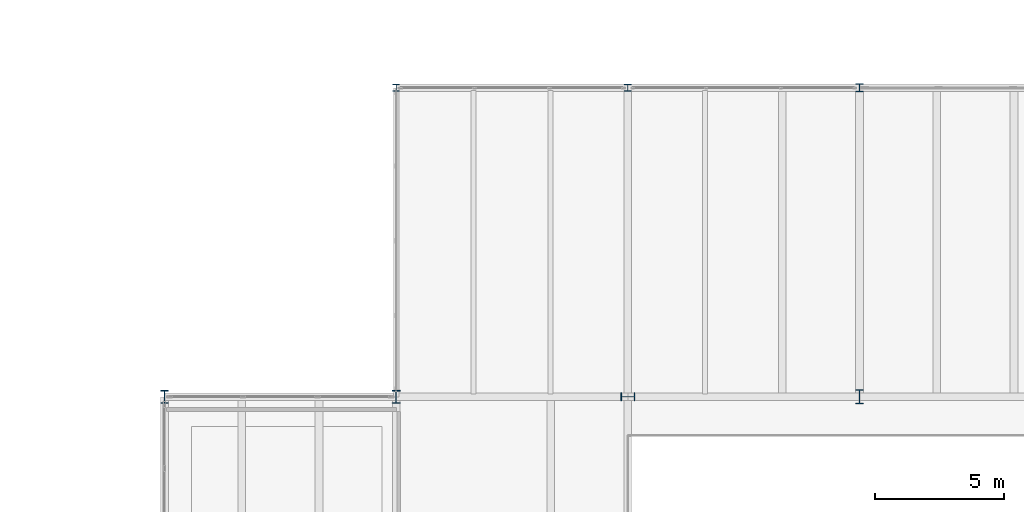
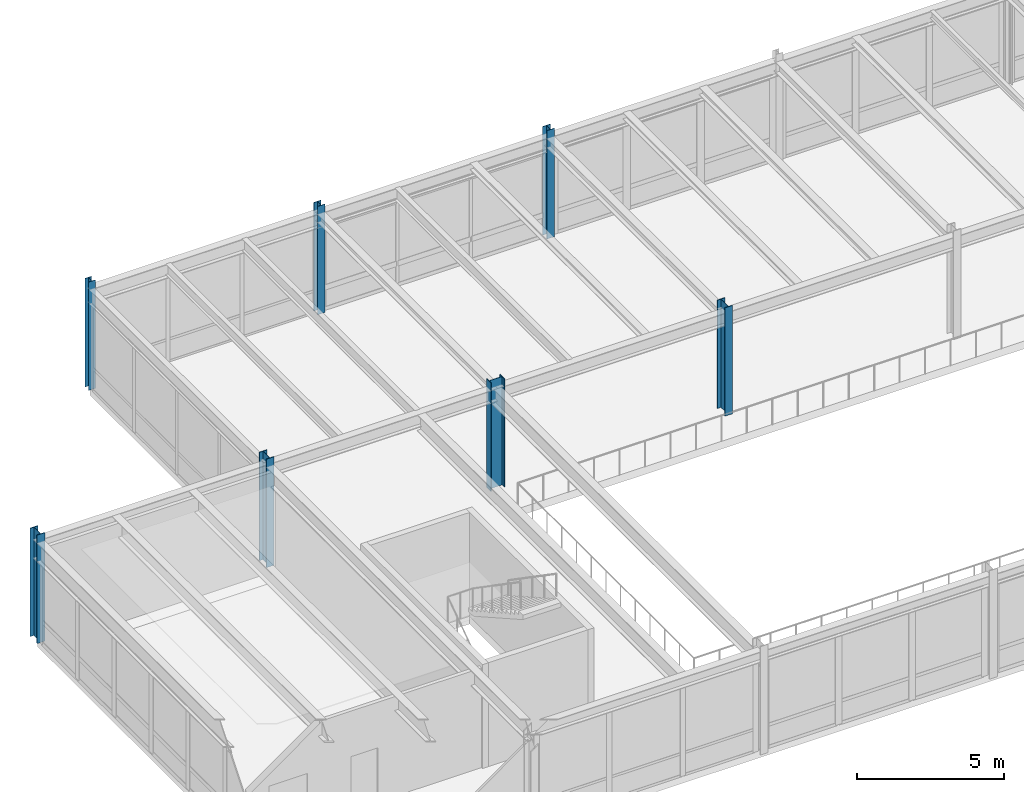
# One storey, part 10 of 127: 7 columns.
"""IFC4 building model written with IfcOpenShell, lengths in metres."""

from ifc_helpers import new_model, si_unit, direction, frame, origin, origin_2d, place, context, subcontext, project, spatial, i_section, extrude, material, material_profile, profile_set, type_object, element, save


model = new_model("IFC4")

# Units and contexts
model_context = context("Model", 3, precision=1e-05, world=origin(), true_north=direction((0.0, 1.0)))
body_context = subcontext(model_context, "Body", "Model", "MODEL_VIEW")
ifc_project = project(units=[si_unit("LENGTHUNIT", "METRE"), si_unit("AREAUNIT", "SQUARE_METRE"), si_unit("VOLUMEUNIT", "CUBIC_METRE"), si_unit("PLANEANGLEUNIT", "RADIAN"), si_unit("MASSUNIT", "GRAM", prefix="KILO")], contexts=[model_context])

# Site, building, storey
site_placement = place(None, origin())
site = spatial("IfcSite", under=ifc_project, at=site_placement, CompositionType="ELEMENT")
building_placement = place(site_placement, origin())
building = spatial("IfcBuilding", under=site, at=building_placement, Name="Montelvaro Courts of Justice", CompositionType="ELEMENT")
storey_placement = place(building_placement, frame((0.0, 0.0, 5.39990234375)))
storey = spatial("IfcBuildingStorey", under=building, at=storey_placement, Name="L01", CompositionType="ELEMENT", Elevation=5.39990234375)

# Columns
ifc_material = material(Name="Steel S355", Category="steel")
ifc_material_profile_1 = material_profile(ifc_material, i_section(OverallWidth=0.260009765625, OverallDepth=0.260009765625, WebThickness=0.010009765625, FlangeThickness=0.017578125, at=origin_2d()), Name="HEB 260")
ifc_profile_set_1 = profile_set([ifc_material_profile_1], Name="Steel S355")
column_type_1 = type_object("IfcColumnType", Name="Col_HEB260", PredefinedType="COLUMN", material=ifc_profile_set_1)
column_1_placement = place(storey_placement, frame((27.0, 108.0, 0.0), z_axis=(0.0, 0.0, 1.0), x_axis=(1.0, 0.0, 0.0)))
element("IfcColumn", 1, at=column_1_placement, inside=storey, type_object=column_type_1, Name="Column C-01 L01 4/I", PredefinedType="COLUMN", context=body_context, shape_type="SweptSolid", body=[
    extrude(i_section(OverallWidth=0.260009765625, OverallDepth=0.260009765625, WebThickness=0.010009765625, FlangeThickness=0.017578125, at=origin_2d()), origin(), (0.0, 0.0, 1.0), 4.5),
])
ifc_material_profile_2 = material_profile(ifc_material, i_section(OverallWidth=0.280029296875, OverallDepth=0.280029296875, WebThickness=0.010498046875, FlangeThickness=0.01806640625, at=origin_2d()), Name="HEB 280")
ifc_profile_set_2 = profile_set([ifc_material_profile_2], Name="Steel S355")
column_type_2 = type_object("IfcColumnType", Name="Col_HEB280", PredefinedType="COLUMN", material=ifc_profile_set_2)
column_2_placement = place(storey_placement, frame((36.0, 108.0, 0.0), z_axis=(0.0, 0.0, 1.0), x_axis=(1.0, 0.0, 0.0)))
element("IfcColumn", 2, at=column_2_placement, inside=storey, type_object=column_type_2, Name="Column C-02 L01 5/I", PredefinedType="COLUMN", context=body_context, shape_type="SweptSolid", body=[
    extrude(i_section(OverallWidth=0.280029296875, OverallDepth=0.280029296875, WebThickness=0.010498046875, FlangeThickness=0.01806640625, at=origin_2d()), origin(), (0.0, 0.0, 1.0), 4.5),
])
ifc_material_profile_3 = material_profile(ifc_material, i_section(OverallWidth=0.300048828125, OverallDepth=0.300048828125, WebThickness=0.010986328125, FlangeThickness=0.01904296875, at=origin_2d()), Name="HEB 300")
ifc_profile_set_3 = profile_set([ifc_material_profile_3], Name="Steel S355")
column_type_3 = type_object("IfcColumnType", Name="Col_HEB300", PredefinedType="COLUMN", material=ifc_profile_set_3)
column_3_placement = place(storey_placement, frame((45.0, 108.0, 0.0), z_axis=(0.0, 0.0, 1.0), x_axis=(1.0, 0.0, 0.0)))
element("IfcColumn", 3, at=column_3_placement, inside=storey, type_object=column_type_3, Name="Column C-03 L01 6/I", PredefinedType="COLUMN", context=body_context, shape_type="SweptSolid", body=[
    extrude(i_section(OverallWidth=0.300048828125, OverallDepth=0.300048828125, WebThickness=0.010986328125, FlangeThickness=0.01904296875, at=origin_2d()), origin(), (0.0, 0.0, 1.0), 4.5),
])
ifc_material_profile_4 = material_profile(ifc_material, i_section(OverallWidth=0.300048828125, OverallDepth=0.5, WebThickness=0.014404296875, FlangeThickness=0.028076171875, at=origin_2d()), Name="HEB 500")
ifc_profile_set_4 = profile_set([ifc_material_profile_4], Name="Steel S355")
column_type_4 = type_object("IfcColumnType", Name="Col_HEB500", PredefinedType="COLUMN", material=ifc_profile_set_4)
for number, where, z_axis, x_axis, name in (
    (4, (18.0, 96.0, 0.0), (0.0, 0.0, 1.0), (1.0, 0.0, 0.0), "Column C-09 L01 3/H"),
    (5, (27.0, 96.0, 0.0), (0.0, 0.0, 1.0), (1.0, 0.0, 0.0), "Column C-09 L01 4/H"),
):
    element("IfcColumn", number, at=place(storey_placement, frame(where, z_axis=z_axis, x_axis=x_axis)), inside=storey, type_object=column_type_4, Name=name, PredefinedType="COLUMN", context=body_context, shape_type="SweptSolid", body=[
        extrude(i_section(OverallWidth=0.300048828125, OverallDepth=0.5, WebThickness=0.014404296875, FlangeThickness=0.028076171875, at=origin_2d()), origin(), (0.0, 0.0, 1.0), 4.5),
    ])
ifc_material_profile_5 = material_profile(ifc_material, i_section(OverallWidth=0.300048828125, OverallDepth=0.550048828125, WebThickness=0.014892578125, FlangeThickness=0.029052734375, at=origin_2d()), Name="HEB 550")
ifc_profile_set_5 = profile_set([ifc_material_profile_5], Name="Steel S355")
column_type_5 = type_object("IfcColumnType", Name="Col_HEB550", PredefinedType="COLUMN", material=ifc_profile_set_5)
for number, where, z_axis, x_axis, name in (
    (6, (36.0, 96.0, 0.0), (0.0, 0.0, 1.0), (0.0, 1.0, 0.0), "Column C-10 L01 5/H"),
    (7, (45.0, 96.0, 0.0), (0.0, 0.0, 1.0), (1.0, 0.0, 0.0), "Column C-10 L01 6/H"),
):
    element("IfcColumn", number, at=place(storey_placement, frame(where, z_axis=z_axis, x_axis=x_axis)), inside=storey, type_object=column_type_5, Name=name, PredefinedType="COLUMN", context=body_context, shape_type="SweptSolid", body=[
        extrude(i_section(OverallWidth=0.300048828125, OverallDepth=0.550048828125, WebThickness=0.014892578125, FlangeThickness=0.029052734375, at=origin_2d()), origin(), (0.0, 0.0, 1.0), 4.5),
    ])

save(model, "model.ifc")
